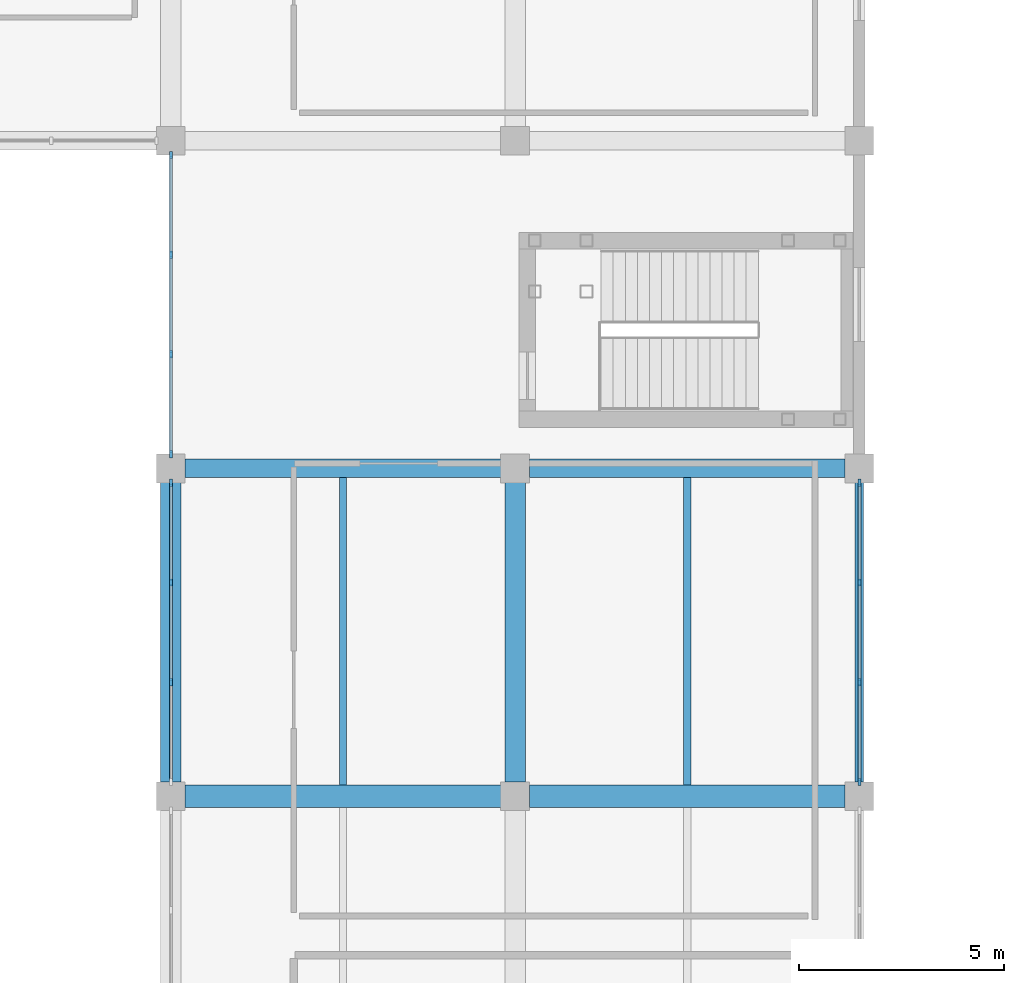
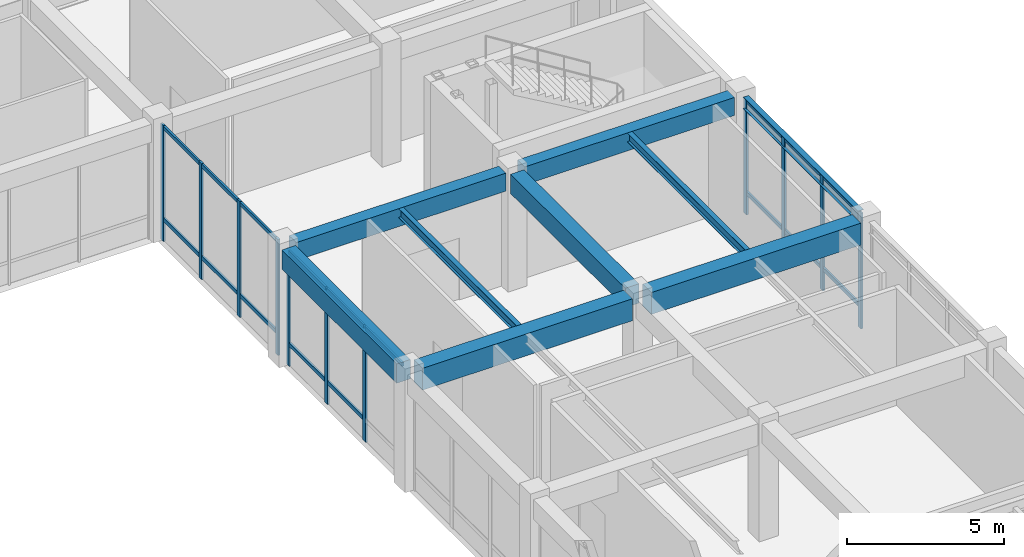
# One storey, part 23 of 76: 28 members, 9 beams, 3 elements without a shape of their own.
"""IFC4 building model written with IfcOpenShell, lengths in metres."""

import ifcopenshell
import ifcopenshell.guid

model = None  # the IFC model being written
_history = None  # IfcOwnerHistory: only IFC2X3 demands one
_inside = {}  # id of a spatial element -> (the spatial element, [elements in it])
_under = {}  # id of a project, library or spatial element -> (it, [spatial elements below it])
_declared = {}  # id of a project -> (the project, [libraries it declares])
_typed = {}  # id of a type object -> (the type object, [elements of that type])
_made_of = {}  # id of a material, layer set ... -> (it, [elements and type objects made of it])


def new_model(schema):
    """Start an empty IFC model of exactly this schema.

    Asked for "IFC4X3", IfcOpenShell would pick the latest addendum, in which some entities
    have other attributes; the version numbers below select the first issue.
    IFC2X3 requires an IfcOwnerHistory on every rooted entity: one is made here for all.
    """
    global model, _history
    if schema == "IFC4X3":
        model = ifcopenshell.file(schema_version=(4, 3, 0, 0))
    else:
        model = ifcopenshell.file(schema=schema)
    _inside.clear()
    _under.clear()
    _declared.clear()
    _typed.clear()
    _made_of.clear()
    _history = None
    if model.schema == "IFC2X3":
        org = make("IfcOrganization", Name="unknown")
        user = make(
            "IfcPersonAndOrganization",
            ThePerson=make("IfcPerson", FamilyName="unknown"),
            TheOrganization=org,
        )
        app = make(
            "IfcApplication",
            ApplicationDeveloper=org,
            Version="unknown",
            ApplicationFullName="unknown",
            ApplicationIdentifier="unknown",
        )
        _history = make(
            "IfcOwnerHistory",
            OwningUser=user,
            OwningApplication=app,
            ChangeAction="ADDED",
            CreationDate=0,
        )
    return model


def make(cls, **values):
    """One entity of the class cls with the attributes given. An attribute that is None is left unset."""
    return model.create_entity(
        cls, **{name: value for name, value in values.items() if value is not None}
    )


def rooted(cls, **values):
    """An entity with a GlobalId (a new one), such as an element, a storey or a relation."""
    return make(cls, GlobalId=ifcopenshell.guid.new(), OwnerHistory=_history, **values)


def si_unit(unit_type, name, prefix=None):
    """IfcSIUnit, for example si_unit("LENGTHUNIT", "METRE", prefix="MILLI")."""
    return make("IfcSIUnit", UnitType=unit_type, Prefix=prefix, Name=name)


def assignment(units):
    """IfcUnitAssignment: the units of a project."""
    return None if units is None else make("IfcUnitAssignment", Units=units)


def point(xyz):
    """IfcCartesianPoint."""
    return None if xyz is None else make("IfcCartesianPoint", Coordinates=xyz)


def direction(xyz):
    """IfcDirection."""
    return None if xyz is None else make("IfcDirection", DirectionRatios=xyz)


def frame(location, z_axis=None, x_axis=None):
    """IfcAxis2Placement3D, a coordinate frame: its origin and axes. An axis left out is left unset."""
    return make(
        "IfcAxis2Placement3D",
        Location=point(location),
        Axis=direction(z_axis),
        RefDirection=direction(x_axis),
    )


def frame_2d(location, x_axis=None):
    """IfcAxis2Placement2D, a coordinate frame in the plane: its origin and x axis."""
    return make(
        "IfcAxis2Placement2D", Location=point(location), RefDirection=direction(x_axis)
    )


def origin():
    """The frame at (0, 0, 0) with its axes left unset."""
    return frame((0.0, 0.0, 0.0))


def origin_2d():
    """The frame at (0, 0) in the plane with its x axis left unset."""
    return frame_2d((0.0, 0.0))


def place(relative_to, where):
    """IfcLocalPlacement: puts the frame where relative to a parent placement (None: the world)."""
    return make(
        "IfcLocalPlacement", PlacementRelTo=relative_to, RelativePlacement=where
    )


def context(
    kind, dimensions, precision=None, world=None, true_north=None, identifier=None
):
    """IfcGeometricRepresentationContext, for example the 3D "Model" context."""
    return make(
        "IfcGeometricRepresentationContext",
        ContextIdentifier=identifier,
        ContextType=kind,
        CoordinateSpaceDimension=dimensions,
        Precision=precision,
        WorldCoordinateSystem=world,
        TrueNorth=true_north,
    )


def subcontext(parent, identifier, kind, view, scale=None):
    """IfcGeometricRepresentationSubContext, for example "Body" below "Model"."""
    return make(
        "IfcGeometricRepresentationSubContext",
        ContextIdentifier=identifier,
        ContextType=kind,
        ParentContext=parent,
        TargetScale=scale,
        TargetView=view,
    )


def project(units=None, contexts=None):
    """IfcProject with its units and contexts."""
    return rooted(
        "IfcProject",
        Name="project",
        RepresentationContexts=contexts,
        UnitsInContext=assignment(units),
    )


def spatial(cls, under=None, at=None, **own):
    """A site, building, storey or space (cls), placed at a placement, below another one or the project."""
    s = rooted(cls, ObjectPlacement=at, **own)
    if under is not None:
        _under.setdefault(under.id(), (under, []))[1].append(s)
    return s


def profile(cls, at=None, kind="AREA", **sizes):
    """A parametric profile (cls). Its sizes go by their IFC names, for example OverallWidth=200.0."""
    return make(cls, ProfileType=kind, Position=at, **sizes)


def rectangle(**sizes):
    """IfcRectangleProfileDef."""
    return profile("IfcRectangleProfileDef", **sizes)


def i_section(**sizes):
    """IfcIShapeProfileDef."""
    return profile("IfcIShapeProfileDef", **sizes)


def extrude(swept, where, along, depth):
    """IfcExtrudedAreaSolid: the profile swept, set in the frame where, extruded along a direction by depth."""
    return make(
        "IfcExtrudedAreaSolid",
        SweptArea=swept,
        Position=where,
        ExtrudedDirection=direction(along),
        Depth=depth,
    )


def shape(context_of_items, identifier, shape_type, items):
    """IfcShapeRepresentation: the items that make up one representation, for example the "Body"."""
    return make(
        "IfcShapeRepresentation",
        ContextOfItems=context_of_items,
        RepresentationIdentifier=identifier,
        RepresentationType=shape_type,
        Items=items,
    )


def material(Name=None, Category=None):
    """IfcMaterial."""
    return make("IfcMaterial", Name=Name, Category=Category)


def layer(
    of_material, thickness, ventilated=None, Name=None, Category=None, Priority=None
):
    """IfcMaterialLayer: one layer of a wall or slab, of a material (None: an air gap)."""
    return make(
        "IfcMaterialLayer",
        Material=of_material,
        LayerThickness=thickness,
        IsVentilated=ventilated,
        Name=Name,
        Category=Category,
        Priority=Priority,
    )


def layer_set(layers, Name=None):
    """IfcMaterialLayerSet."""
    return make("IfcMaterialLayerSet", MaterialLayers=layers, LayerSetName=Name)


def material_profile(
    of_material, cross_section, Name=None, Category=None, Priority=None
):
    """IfcMaterialProfile: a cross section and its material."""
    return make(
        "IfcMaterialProfile",
        Name=Name,
        Material=of_material,
        Profile=cross_section,
        Priority=Priority,
        Category=Category,
    )


def profile_set(profiles, Name=None, composite=None):
    """IfcMaterialProfileSet."""
    return make(
        "IfcMaterialProfileSet",
        Name=Name,
        MaterialProfiles=profiles,
        CompositeProfile=composite,
    )


def made_of(thing, what):
    """Note that an element or type object is made of a material, layer set ...; save() writes the relation."""
    if what is not None:
        _made_of.setdefault(what.id(), (what, []))[1].append(thing)
    return thing


def type_object(cls, material=None, **own):
    """A type object (cls), such as IfcWallType, which elements share."""
    return made_of(rooted(cls, **own), material)


def element(
    cls,
    number,
    at=None,
    inside=None,
    cuts=None,
    type_object=None,
    material=None,
    context=None,
    identifier="Body",
    shape_type=None,
    held_by="IfcProductDefinitionShape",
    body=None,
    shapes=None,
    **own,
):
    """One element of the class cls, such as IfcWall. Its Tag is "e" and its number.

    at: its placement. inside: the storey or other place that contains it. cuts: it is an
    opening in that element (IfcRelVoidsElement). A single representation is given by context,
    identifier, shape_type and body (its items); several are given by shapes. held_by: the class
    of the entity that holds the representations. save() writes the other relations.
    """
    e = rooted(cls, Tag="e%d" % number, ObjectPlacement=at, **own)
    if body is not None:
        shapes = [shape(context, identifier, shape_type, body)]
    if shapes is not None:
        e.Representation = make(held_by, Representations=shapes)
    if inside is not None:
        _inside.setdefault(inside.id(), (inside, []))[1].append(e)
    if cuts is not None:
        rooted(
            "IfcRelVoidsElement", RelatingBuildingElement=cuts, RelatedOpeningElement=e
        )
    if type_object is not None:
        _typed.setdefault(type_object.id(), (type_object, []))[1].append(e)
    return made_of(e, material)


def aggregate(whole, parts):
    """IfcRelAggregates: a whole, such as a stair, and the parts it consists of."""
    return rooted("IfcRelAggregates", RelatingObject=whole, RelatedObjects=parts)


def save(model, path):
    """Write the relations noted so far, then the file.

    IfcRelAggregates (storeys below a building ...), IfcRelContainedInSpatialStructure (elements
    in a storey), IfcRelDefinesByType, IfcRelAssociatesMaterial and IfcRelDeclares: one each for
    every whole, place, type object, material and project.
    """
    for whole, parts in _under.values():
        aggregate(whole, parts)
    for where, things in _inside.values():
        rooted(
            "IfcRelContainedInSpatialStructure",
            RelatedElements=things,
            RelatingStructure=where,
        )
    for kind, things in _typed.values():
        rooted("IfcRelDefinesByType", RelatedObjects=things, RelatingType=kind)
    for what, things in _made_of.values():
        rooted("IfcRelAssociatesMaterial", RelatedObjects=things, RelatingMaterial=what)
    for by, libraries in _declared.values():
        rooted("IfcRelDeclares", RelatingContext=by, RelatedDefinitions=libraries)
    model.write(path)


model = new_model("IFC4")

# Units and contexts
model_context = context("Model", 3, precision=1e-05, world=origin(), true_north=direction((0.0, 1.0)))
body_context = subcontext(model_context, "Body", "Model", "MODEL_VIEW")
ifc_project = project(units=[si_unit("LENGTHUNIT", "METRE"), si_unit("AREAUNIT", "SQUARE_METRE"), si_unit("VOLUMEUNIT", "CUBIC_METRE"), si_unit("PLANEANGLEUNIT", "RADIAN"), si_unit("MASSUNIT", "GRAM", prefix="KILO")], contexts=[model_context])

# Site, building, storey
site_placement = place(None, origin())
site = spatial("IfcSite", under=ifc_project, at=site_placement, CompositionType="ELEMENT")
building_placement = place(site_placement, origin())
building = spatial("IfcBuilding", under=site, at=building_placement, Name="Naruveol Harbour Congress Hotel", CompositionType="ELEMENT")
storey_placement = place(building_placement, frame((0.0, 0.0, 11.39990234375)))
storey = spatial("IfcBuildingStorey", under=building, at=storey_placement, Name="L02", CompositionType="ELEMENT", Elevation=11.39990234375)

# Beams
ifc_material_1 = material(Name="Concrete C40/50", Category="concrete")
ifc_material_profile_1 = material_profile(ifc_material_1, rectangle(XDim=0.5, YDim=0.75, at=origin_2d()), Name="RCB-500x750")
ifc_profile_set_1 = profile_set([ifc_material_profile_1], Name="Concrete C40/50")
beam_type_1 = type_object("IfcBeamType", Name="RC FLOOR GIRDER 500X750", PredefinedType="BEAM", material=ifc_profile_set_1)
for number, where, z_axis, x_axis, name in (
    (1, (109.199951171875, 48.345947265625, 4.175048828125), (0.0, 1.0, 0.0), (-1.0, 0.0, 0.0), "Transverse girder L03 CB3"),
    (2, (117.60009765625, 48.345947265625, 4.175048828125), (0.0, 1.0, 0.0), (-1.0, 0.0, 0.0), "Transverse girder L03 CB3"),
):
    element("IfcBeam", number, at=place(storey_placement, frame(where, z_axis=z_axis, x_axis=x_axis)), inside=storey, type_object=beam_type_1, Name=name, PredefinedType="BEAM", context=body_context, shape_type="SweptSolid", body=[
        extrude(rectangle(XDim=0.5, YDim=0.75, at=origin_2d()), origin(), (0.0, 0.0, 1.0), 7.30810546875),
    ])
ifc_material_2 = material(Name="Concrete C40/50", Category="concrete")
ifc_material_profile_2 = material_profile(ifc_material_2, rectangle(XDim=0.550048828125, YDim=0.85009765625, at=origin_2d()), Name="RCB-550x850")
ifc_profile_set_2 = profile_set([ifc_material_profile_2], Name="Concrete C40/50")
beam_type_2 = type_object("IfcBeamType", Name="RC PRIMARY GIRDER 550X850", PredefinedType="BEAM", material=ifc_profile_set_2)
for number, where, z_axis, x_axis, name in (
    (3, (109.5458984375, 48.0, 4.125), (1.0, 0.0, 0.0), (0.0, 1.0, 0.0), "Floor girder L03 CB2"),
    (4, (117.946044921875, 48.0, 4.125), (1.0, 0.0, 0.0), (0.0, 1.0, 0.0), "Floor girder L03 CB2"),
):
    element("IfcBeam", number, at=place(storey_placement, frame(where, z_axis=z_axis, x_axis=x_axis)), inside=storey, type_object=beam_type_2, Name=name, PredefinedType="BEAM", context=body_context, shape_type="SweptSolid", body=[
        extrude(rectangle(XDim=0.550048828125, YDim=0.85009765625, at=origin_2d()), origin(), (0.0, 0.0, 1.0), 7.7080078125),
    ])
ifc_material_3 = material(Name="Concrete C40/50", Category="concrete")
ifc_material_profile_3 = material_profile(ifc_material_3, rectangle(XDim=0.449951171875, YDim=0.699951171875, at=origin_2d()), Name="RCB-450x700")
ifc_profile_set_3 = profile_set([ifc_material_profile_3], Name="Concrete C40/50")
beam_type_3 = type_object("IfcBeamType", Name="RC SPANDREL BEAM 450X700", PredefinedType="SPANDREL", material=ifc_profile_set_3)
for number, where, z_axis, x_axis, name in (
    (5, (109.5458984375, 56.0, 4.2001953125), (1.0, 0.0, 0.0), (0.0, 1.0, 0.0), "Floor girder L03 SPB1"),
    (6, (117.946044921875, 56.0, 4.2001953125), (1.0, 0.0, 0.0), (0.0, 1.0, 0.0), "Floor girder L03 SPB1"),
):
    element("IfcBeam", number, at=place(storey_placement, frame(where, z_axis=z_axis, x_axis=x_axis)), inside=storey, type_object=beam_type_3, Name=name, PredefinedType="SPANDREL", context=body_context, shape_type="SweptSolid", body=[
        extrude(rectangle(XDim=0.449951171875, YDim=0.699951171875, at=origin_2d()), origin(), (0.0, 0.0, 1.0), 7.7080078125),
    ])
ifc_material_4 = material(Name="Steel SN490", Category="steel")
ifc_material_profile_4 = material_profile(ifc_material_4, i_section(OverallWidth=0.175048828125, OverallDepth=0.35009765625, WebThickness=0.007080078125, FlangeThickness=0.010986328125, at=origin_2d()), Name="H-350x175x7x11")
ifc_profile_set_4 = profile_set([ifc_material_profile_4], Name="Steel SN490")
beam_type_4 = type_object("IfcBeamType", Name="STEEL SECONDARY JOIST H350", PredefinedType="JOIST", material=ifc_profile_set_4)
for number, where, z_axis, x_axis, name in (
    (7, (113.39990234375, 48.27099609375, 4.375), (0.0, 1.0, 0.0), (-1.0, 0.0, 0.0), "Secondary floor joist L03 SJ2"),
    (8, (121.800048828125, 48.27099609375, 4.375), (0.0, 1.0, 0.0), (-1.0, 0.0, 0.0), "Secondary floor joist L03 SJ2"),
):
    element("IfcBeam", number, at=place(storey_placement, frame(where, z_axis=z_axis, x_axis=x_axis)), inside=storey, type_object=beam_type_4, Name=name, PredefinedType="JOIST", context=body_context, shape_type="SweptSolid", body=[
        extrude(i_section(OverallWidth=0.175048828125, OverallDepth=0.35009765625, WebThickness=0.007080078125, FlangeThickness=0.010986328125, at=origin_2d()), origin(), (0.0, 0.0, 1.0), 7.508056640625),
    ])
ifc_material_5 = material(Name="Steel SN490", Category="steel")
ifc_material_profile_5 = material_profile(ifc_material_5, i_section(OverallWidth=0.199951171875, OverallDepth=0.449951171875, WebThickness=0.009033203125, FlangeThickness=0.013916015625, at=origin_2d()), Name="H-450x200x9x14")
ifc_profile_set_5 = profile_set([ifc_material_profile_5], Name="Steel SN490")
beam_type_5 = type_object("IfcBeamType", Name="STEEL SPANDREL EDGE BEAM H450", PredefinedType="SPANDREL", material=ifc_profile_set_5)
beam_placement = place(storey_placement, frame((126.0, 48.345947265625, 4.3251953125), z_axis=(0.0, 1.0, 0.0), x_axis=(-1.0, 0.0, 0.0)))
element("IfcBeam", 9, at=beam_placement, inside=storey, type_object=beam_type_5, Name="Transverse girder L03 SPB2", PredefinedType="SPANDREL", context=body_context, shape_type="SweptSolid", body=[
    extrude(i_section(OverallWidth=0.199951171875, OverallDepth=0.449951171875, WebThickness=0.009033203125, FlangeThickness=0.013916015625, at=origin_2d()), origin(), (0.0, 0.0, 1.0), 7.30810546875),
])

# Curtain wall, members
ifc_material_6 = material(Name="Low-E Curtain Wall System", Category="glass")
ifc_layer_1 = layer(ifc_material_6, 0.179931640625)
ifc_layer_set_1 = layer_set([ifc_layer_1], Name="Low-E Curtain Wall System")
curtain_wall_type_1 = type_object("IfcCurtainWallType", Name="UNITISED CURTAIN WALL CW-V4E-39 7300X4500", PredefinedType="USERDEFINED", material=ifc_layer_set_1)
curtain_wall_1_placement = place(storey_placement, origin())
curtain_wall_1 = element("IfcCurtainWall", 10, at=curtain_wall_1_placement, inside=storey, type_object=curtain_wall_type_1, Name="Unitised curtain wall CW-V4E-39 L02", ObjectType="UNITISED GLAZING", PredefinedType="USERDEFINED")
ifc_material_7 = material(Name="Anodised Aluminium 6063-T6", Category="aluminium")
ifc_material_profile_6 = material_profile(ifc_material_7, rectangle(XDim=0.074951171875, YDim=0.179931640625, at=origin_2d()), Name="ALU-75x180")
ifc_profile_set_6 = profile_set([ifc_material_profile_6], Name="Anodised Aluminium 6063-T6")
member_type_1 = type_object("IfcMemberType", Name="THERMAL ALUMINIUM MULLION 75X180", PredefinedType="MULLION", material=ifc_profile_set_6)
member_1_placement = place(storey_placement, frame((126.0, 55.64990234375, 0.0), z_axis=(0.0, 0.0, 1.0), x_axis=(1.0, 0.0, 0.0)))
member_1 = element("IfcMember", 11, at=member_1_placement, type_object=member_type_1, Name="Curtain wall mullion CW-L02-0100-M0", PredefinedType="MULLION", context=body_context, shape_type="SweptSolid", body=[
    extrude(rectangle(XDim=0.074951171875, YDim=0.179931640625, at=origin_2d()), origin(), (0.0, 0.0, 1.0), 4.5),
])
member_2_placement = place(storey_placement, frame((126.0, 53.216796875, 0.0), z_axis=(0.0, 0.0, 1.0), x_axis=(1.0, 0.0, 0.0)))
member_2 = element("IfcMember", 12, at=member_2_placement, type_object=member_type_1, Name="Curtain wall mullion CW-L02-0100-M1", PredefinedType="MULLION", context=body_context, shape_type="SweptSolid", body=[
    extrude(rectangle(XDim=0.074951171875, YDim=0.179931640625, at=origin_2d()), origin(), (0.0, 0.0, 1.0), 4.5),
])
member_3_placement = place(storey_placement, frame((126.0, 50.783203125, 0.0), z_axis=(0.0, 0.0, 1.0), x_axis=(1.0, 0.0, 0.0)))
member_3 = element("IfcMember", 13, at=member_3_placement, type_object=member_type_1, Name="Curtain wall mullion CW-L02-0100-M2", PredefinedType="MULLION", context=body_context, shape_type="SweptSolid", body=[
    extrude(rectangle(XDim=0.074951171875, YDim=0.179931640625, at=origin_2d()), origin(), (0.0, 0.0, 1.0), 4.5),
])
member_4_placement = place(storey_placement, frame((126.0, 48.35009765625, 0.0), z_axis=(0.0, 0.0, 1.0), x_axis=(1.0, 0.0, 0.0)))
member_4 = element("IfcMember", 14, at=member_4_placement, type_object=member_type_1, Name="Curtain wall mullion CW-L02-0100-M3", PredefinedType="MULLION", context=body_context, shape_type="SweptSolid", body=[
    extrude(rectangle(XDim=0.074951171875, YDim=0.179931640625, at=origin_2d()), origin(), (0.0, 0.0, 1.0), 4.5),
])

ifc_material_8 = material(Name="Low-E Curtain Wall System", Category="glass")
ifc_layer_2 = layer(ifc_material_8, 0.179931640625)
ifc_layer_set_2 = layer_set([ifc_layer_2], Name="Low-E Curtain Wall System")
curtain_wall_type_2 = type_object("IfcCurtainWallType", Name="UNITISED CURTAIN WALL CW-CTE-44 7300X4500", PredefinedType="USERDEFINED", material=ifc_layer_set_2)
curtain_wall_2_placement = place(storey_placement, origin())
curtain_wall_2 = element("IfcCurtainWall", 15, at=curtain_wall_2_placement, inside=storey, type_object=curtain_wall_type_2, Name="Unitised curtain wall CW-CTE-44 L02", ObjectType="UNITISED GLAZING", PredefinedType="USERDEFINED")
member_5_placement = place(storey_placement, frame((109.199951171875, 55.64990234375, 0.0), z_axis=(0.0, 0.0, 1.0), x_axis=(1.0, 0.0, 0.0)))
member_5 = element("IfcMember", 16, at=member_5_placement, type_object=member_type_1, Name="Curtain wall mullion CW-L02-0119-M0", PredefinedType="MULLION", context=body_context, shape_type="SweptSolid", body=[
    extrude(rectangle(XDim=0.074951171875, YDim=0.179931640625, at=origin_2d()), origin(), (0.0, 0.0, 1.0), 4.5),
])
member_6_placement = place(storey_placement, frame((109.199951171875, 53.216796875, 0.0), z_axis=(0.0, 0.0, 1.0), x_axis=(1.0, 0.0, 0.0)))
member_6 = element("IfcMember", 17, at=member_6_placement, type_object=member_type_1, Name="Curtain wall mullion CW-L02-0119-M1", PredefinedType="MULLION", context=body_context, shape_type="SweptSolid", body=[
    extrude(rectangle(XDim=0.074951171875, YDim=0.179931640625, at=origin_2d()), origin(), (0.0, 0.0, 1.0), 4.5),
])
member_7_placement = place(storey_placement, frame((109.199951171875, 50.783203125, 0.0), z_axis=(0.0, 0.0, 1.0), x_axis=(1.0, 0.0, 0.0)))
member_7 = element("IfcMember", 18, at=member_7_placement, type_object=member_type_1, Name="Curtain wall mullion CW-L02-0119-M2", PredefinedType="MULLION", context=body_context, shape_type="SweptSolid", body=[
    extrude(rectangle(XDim=0.074951171875, YDim=0.179931640625, at=origin_2d()), origin(), (0.0, 0.0, 1.0), 4.5),
])

curtain_wall_3_placement = place(storey_placement, origin())
curtain_wall_3 = element("IfcCurtainWall", 19, at=curtain_wall_3_placement, inside=storey, type_object=curtain_wall_type_2, Name="Unitised curtain wall CW-CTE-44 L02", ObjectType="UNITISED GLAZING", PredefinedType="USERDEFINED")
member_8_placement = place(storey_placement, frame((109.199951171875, 63.64990234375, 0.0), z_axis=(0.0, 0.0, 1.0), x_axis=(1.0, 0.0, 0.0)))
member_8 = element("IfcMember", 20, at=member_8_placement, type_object=member_type_1, Name="Curtain wall mullion CW-L02-0121-M0", PredefinedType="MULLION", context=body_context, shape_type="SweptSolid", body=[
    extrude(rectangle(XDim=0.074951171875, YDim=0.179931640625, at=origin_2d()), origin(), (0.0, 0.0, 1.0), 4.5),
])
member_9_placement = place(storey_placement, frame((109.199951171875, 61.216796875, 0.0), z_axis=(0.0, 0.0, 1.0), x_axis=(1.0, 0.0, 0.0)))
member_9 = element("IfcMember", 21, at=member_9_placement, type_object=member_type_1, Name="Curtain wall mullion CW-L02-0121-M1", PredefinedType="MULLION", context=body_context, shape_type="SweptSolid", body=[
    extrude(rectangle(XDim=0.074951171875, YDim=0.179931640625, at=origin_2d()), origin(), (0.0, 0.0, 1.0), 4.5),
])
member_10_placement = place(storey_placement, frame((109.199951171875, 58.783203125, 0.0), z_axis=(0.0, 0.0, 1.0), x_axis=(1.0, 0.0, 0.0)))
member_10 = element("IfcMember", 22, at=member_10_placement, type_object=member_type_1, Name="Curtain wall mullion CW-L02-0121-M2", PredefinedType="MULLION", context=body_context, shape_type="SweptSolid", body=[
    extrude(rectangle(XDim=0.074951171875, YDim=0.179931640625, at=origin_2d()), origin(), (0.0, 0.0, 1.0), 4.5),
])
member_11_placement = place(storey_placement, frame((109.199951171875, 56.35009765625, 0.0), z_axis=(0.0, 0.0, 1.0), x_axis=(1.0, 0.0, 0.0)))
member_11 = element("IfcMember", 23, at=member_11_placement, type_object=member_type_1, Name="Curtain wall mullion CW-L02-0121-M3", PredefinedType="MULLION", context=body_context, shape_type="SweptSolid", body=[
    extrude(rectangle(XDim=0.074951171875, YDim=0.179931640625, at=origin_2d()), origin(), (0.0, 0.0, 1.0), 4.5),
])

# Member
ifc_material_9 = material(Name="Anodised Aluminium 6063-T6", Category="aluminium")
ifc_material_profile_7 = material_profile(ifc_material_9, rectangle(XDim=0.074951171875, YDim=0.14990234375, at=origin_2d()), Name="ALU-75x150")
ifc_profile_set_7 = profile_set([ifc_material_profile_7], Name="Anodised Aluminium 6063-T6")
member_type_2 = type_object("IfcMemberType", Name="THERMAL ALUMINIUM TRANSOM 75X150", PredefinedType="USERDEFINED", material=ifc_profile_set_7)
member_12_placement = place(storey_placement, frame((126.0, 55.610107421875, 0.85009765625), z_axis=(0.0, -1.0, 0.0), x_axis=(1.0, 0.0, 0.0)))
member_12 = element("IfcMember", 24, at=member_12_placement, type_object=member_type_2, Name="Curtain wall transom CW-L02-0100-T0.1", ObjectType="TRANSOM", PredefinedType="USERDEFINED", context=body_context, shape_type="SweptSolid", body=[
    extrude(rectangle(XDim=0.074951171875, YDim=0.14990234375, at=origin_2d()), origin(), (0.0, 0.0, 1.0), 2.353515625),
])

member_13_placement = place(storey_placement, frame((126.0, 55.610107421875, 4.420166015625), z_axis=(0.0, -1.0, 0.0), x_axis=(1.0, 0.0, 0.0)))
member_13 = element("IfcMember", 25, at=member_13_placement, type_object=member_type_2, Name="Curtain wall transom CW-L02-0100-T0.2", ObjectType="TRANSOM", PredefinedType="USERDEFINED", context=body_context, shape_type="SweptSolid", body=[
    extrude(rectangle(XDim=0.074951171875, YDim=0.14990234375, at=origin_2d()), origin(), (0.0, 0.0, 1.0), 2.353515625),
])

member_14_placement = place(storey_placement, frame((126.0, 53.1767578125, 0.85009765625), z_axis=(0.0, -1.0, 0.0), x_axis=(1.0, 0.0, 0.0)))
member_14 = element("IfcMember", 26, at=member_14_placement, type_object=member_type_2, Name="Curtain wall transom CW-L02-0100-T1.1", ObjectType="TRANSOM", PredefinedType="USERDEFINED", context=body_context, shape_type="SweptSolid", body=[
    extrude(rectangle(XDim=0.074951171875, YDim=0.14990234375, at=origin_2d()), origin(), (0.0, 0.0, 1.0), 2.353515625),
])

member_15_placement = place(storey_placement, frame((126.0, 53.1767578125, 4.420166015625), z_axis=(0.0, -1.0, 0.0), x_axis=(1.0, 0.0, 0.0)))
member_15 = element("IfcMember", 27, at=member_15_placement, type_object=member_type_2, Name="Curtain wall transom CW-L02-0100-T1.2", ObjectType="TRANSOM", PredefinedType="USERDEFINED", context=body_context, shape_type="SweptSolid", body=[
    extrude(rectangle(XDim=0.074951171875, YDim=0.14990234375, at=origin_2d()), origin(), (0.0, 0.0, 1.0), 2.353515625),
])

member_16_placement = place(storey_placement, frame((126.0, 50.743408203125, 0.85009765625), z_axis=(0.0, -1.0, 0.0), x_axis=(1.0, 0.0, 0.0)))
member_16 = element("IfcMember", 28, at=member_16_placement, type_object=member_type_2, Name="Curtain wall transom CW-L02-0100-T2.1", ObjectType="TRANSOM", PredefinedType="USERDEFINED", context=body_context, shape_type="SweptSolid", body=[
    extrude(rectangle(XDim=0.074951171875, YDim=0.14990234375, at=origin_2d()), origin(), (0.0, 0.0, 1.0), 2.353515625),
])

member_17_placement = place(storey_placement, frame((126.0, 50.743408203125, 4.420166015625), z_axis=(0.0, -1.0, 0.0), x_axis=(1.0, 0.0, 0.0)))
member_17 = element("IfcMember", 29, at=member_17_placement, type_object=member_type_2, Name="Curtain wall transom CW-L02-0100-T2.2", ObjectType="TRANSOM", PredefinedType="USERDEFINED", context=body_context, shape_type="SweptSolid", body=[
    extrude(rectangle(XDim=0.074951171875, YDim=0.14990234375, at=origin_2d()), origin(), (0.0, 0.0, 1.0), 2.353515625),
])

aggregate(curtain_wall_1, [member_1, member_2, member_3, member_4, member_12, member_13, member_14, member_15, member_16, member_17])

member_18_placement = place(storey_placement, frame((109.199951171875, 55.610107421875, 0.85009765625), z_axis=(0.0, -1.0, 0.0), x_axis=(1.0, 0.0, 0.0)))
member_18 = element("IfcMember", 30, at=member_18_placement, type_object=member_type_2, Name="Curtain wall transom CW-L02-0119-T0.1", ObjectType="TRANSOM", PredefinedType="USERDEFINED", context=body_context, shape_type="SweptSolid", body=[
    extrude(rectangle(XDim=0.074951171875, YDim=0.14990234375, at=origin_2d()), origin(), (0.0, 0.0, 1.0), 2.353515625),
])

member_19_placement = place(storey_placement, frame((109.199951171875, 55.610107421875, 4.420166015625), z_axis=(0.0, -1.0, 0.0), x_axis=(1.0, 0.0, 0.0)))
member_19 = element("IfcMember", 31, at=member_19_placement, type_object=member_type_2, Name="Curtain wall transom CW-L02-0119-T0.2", ObjectType="TRANSOM", PredefinedType="USERDEFINED", context=body_context, shape_type="SweptSolid", body=[
    extrude(rectangle(XDim=0.074951171875, YDim=0.14990234375, at=origin_2d()), origin(), (0.0, 0.0, 1.0), 2.353515625),
])

member_20_placement = place(storey_placement, frame((109.199951171875, 53.1767578125, 0.85009765625), z_axis=(0.0, -1.0, 0.0), x_axis=(1.0, 0.0, 0.0)))
member_20 = element("IfcMember", 32, at=member_20_placement, type_object=member_type_2, Name="Curtain wall transom CW-L02-0119-T1.1", ObjectType="TRANSOM", PredefinedType="USERDEFINED", context=body_context, shape_type="SweptSolid", body=[
    extrude(rectangle(XDim=0.074951171875, YDim=0.14990234375, at=origin_2d()), origin(), (0.0, 0.0, 1.0), 2.353515625),
])

member_21_placement = place(storey_placement, frame((109.199951171875, 53.1767578125, 4.420166015625), z_axis=(0.0, -1.0, 0.0), x_axis=(1.0, 0.0, 0.0)))
member_21 = element("IfcMember", 33, at=member_21_placement, type_object=member_type_2, Name="Curtain wall transom CW-L02-0119-T1.2", ObjectType="TRANSOM", PredefinedType="USERDEFINED", context=body_context, shape_type="SweptSolid", body=[
    extrude(rectangle(XDim=0.074951171875, YDim=0.14990234375, at=origin_2d()), origin(), (0.0, 0.0, 1.0), 2.353515625),
])

member_22_placement = place(storey_placement, frame((109.199951171875, 50.743408203125, 4.420166015625), z_axis=(0.0, -1.0, 0.0), x_axis=(1.0, 0.0, 0.0)))
member_22 = element("IfcMember", 34, at=member_22_placement, type_object=member_type_2, Name="Curtain wall transom CW-L02-0119-T2.2", ObjectType="TRANSOM", PredefinedType="USERDEFINED", context=body_context, shape_type="SweptSolid", body=[
    extrude(rectangle(XDim=0.074951171875, YDim=0.14990234375, at=origin_2d()), origin(), (0.0, 0.0, 1.0), 2.353515625),
])

aggregate(curtain_wall_2, [member_5, member_6, member_7, member_18, member_19, member_20, member_21, member_22])

member_23_placement = place(storey_placement, frame((109.199951171875, 63.610107421875, 0.85009765625), z_axis=(0.0, -1.0, 0.0), x_axis=(1.0, 0.0, 0.0)))
member_23 = element("IfcMember", 35, at=member_23_placement, type_object=member_type_2, Name="Curtain wall transom CW-L02-0121-T0.1", ObjectType="TRANSOM", PredefinedType="USERDEFINED", context=body_context, shape_type="SweptSolid", body=[
    extrude(rectangle(XDim=0.074951171875, YDim=0.14990234375, at=origin_2d()), origin(), (0.0, 0.0, 1.0), 2.353515625),
])

member_24_placement = place(storey_placement, frame((109.199951171875, 63.610107421875, 4.420166015625), z_axis=(0.0, -1.0, 0.0), x_axis=(1.0, 0.0, 0.0)))
member_24 = element("IfcMember", 36, at=member_24_placement, type_object=member_type_2, Name="Curtain wall transom CW-L02-0121-T0.2", ObjectType="TRANSOM", PredefinedType="USERDEFINED", context=body_context, shape_type="SweptSolid", body=[
    extrude(rectangle(XDim=0.074951171875, YDim=0.14990234375, at=origin_2d()), origin(), (0.0, 0.0, 1.0), 2.353515625),
])

member_25_placement = place(storey_placement, frame((109.199951171875, 61.1767578125, 0.85009765625), z_axis=(0.0, -1.0, 0.0), x_axis=(1.0, 0.0, 0.0)))
member_25 = element("IfcMember", 37, at=member_25_placement, type_object=member_type_2, Name="Curtain wall transom CW-L02-0121-T1.1", ObjectType="TRANSOM", PredefinedType="USERDEFINED", context=body_context, shape_type="SweptSolid", body=[
    extrude(rectangle(XDim=0.074951171875, YDim=0.14990234375, at=origin_2d()), origin(), (0.0, 0.0, 1.0), 2.353515625),
])

member_26_placement = place(storey_placement, frame((109.199951171875, 61.1767578125, 4.420166015625), z_axis=(0.0, -1.0, 0.0), x_axis=(1.0, 0.0, 0.0)))
member_26 = element("IfcMember", 38, at=member_26_placement, type_object=member_type_2, Name="Curtain wall transom CW-L02-0121-T1.2", ObjectType="TRANSOM", PredefinedType="USERDEFINED", context=body_context, shape_type="SweptSolid", body=[
    extrude(rectangle(XDim=0.074951171875, YDim=0.14990234375, at=origin_2d()), origin(), (0.0, 0.0, 1.0), 2.353515625),
])

member_27_placement = place(storey_placement, frame((109.199951171875, 58.743408203125, 0.85009765625), z_axis=(0.0, -1.0, 0.0), x_axis=(1.0, 0.0, 0.0)))
member_27 = element("IfcMember", 39, at=member_27_placement, type_object=member_type_2, Name="Curtain wall transom CW-L02-0121-T2.1", ObjectType="TRANSOM", PredefinedType="USERDEFINED", context=body_context, shape_type="SweptSolid", body=[
    extrude(rectangle(XDim=0.074951171875, YDim=0.14990234375, at=origin_2d()), origin(), (0.0, 0.0, 1.0), 2.353515625),
])

member_28_placement = place(storey_placement, frame((109.199951171875, 58.743408203125, 4.420166015625), z_axis=(0.0, -1.0, 0.0), x_axis=(1.0, 0.0, 0.0)))
member_28 = element("IfcMember", 40, at=member_28_placement, type_object=member_type_2, Name="Curtain wall transom CW-L02-0121-T2.2", ObjectType="TRANSOM", PredefinedType="USERDEFINED", context=body_context, shape_type="SweptSolid", body=[
    extrude(rectangle(XDim=0.074951171875, YDim=0.14990234375, at=origin_2d()), origin(), (0.0, 0.0, 1.0), 2.353515625),
])

aggregate(curtain_wall_3, [member_8, member_9, member_10, member_11, member_23, member_24, member_25, member_26, member_27, member_28])

save(model, "model.ifc")
